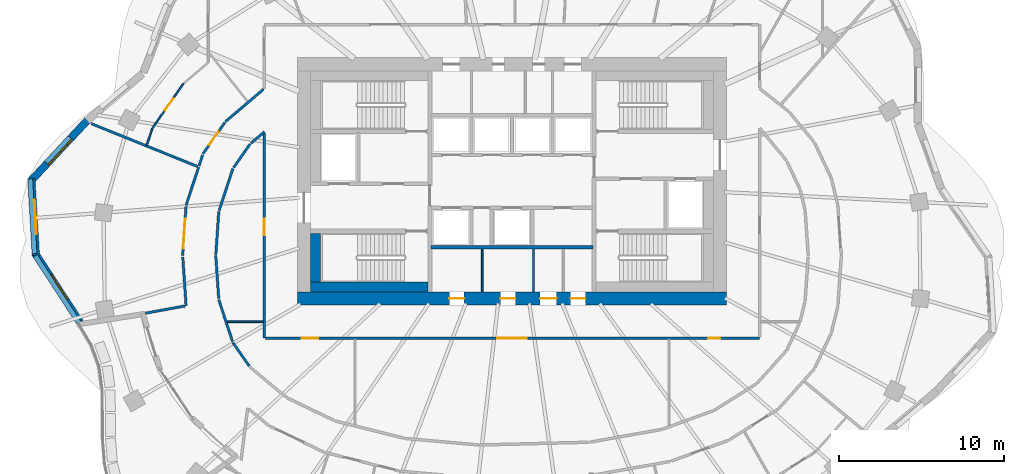
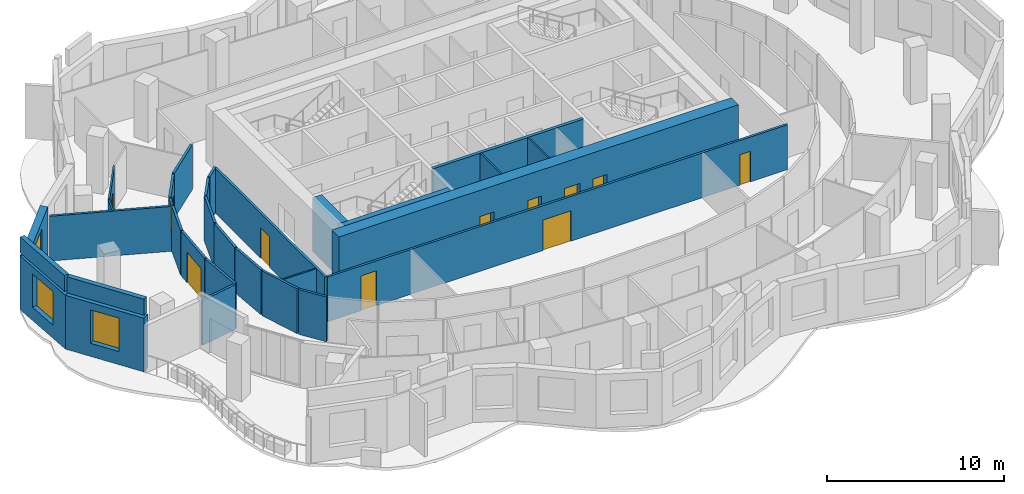
# One storey, part 6 of 13: 31 walls, 11 doors, 3 windows, 14 openings.
"""IFC4 building model written with IfcOpenShell, lengths in metres."""

from ifc_helpers import new_model, si_unit, direction, frame, frame_2d, origin, place, context, subcontext, project, spatial, rectangle, extrude, material, layer, layer_set, type_object, element, fill, save


model = new_model("IFC4")

# Units and contexts
model_context = context("Model", 3, precision=1e-05, world=origin(), true_north=direction((0.0, 1.0)))
body_context = subcontext(model_context, "Body", "Model", "MODEL_VIEW")
ifc_project = project(units=[si_unit("LENGTHUNIT", "METRE"), si_unit("AREAUNIT", "SQUARE_METRE"), si_unit("VOLUMEUNIT", "CUBIC_METRE"), si_unit("PLANEANGLEUNIT", "RADIAN"), si_unit("MASSUNIT", "GRAM", prefix="KILO")], contexts=[model_context])

# Site, building, storey
site_placement = place(None, origin())
site = spatial("IfcSite", under=ifc_project, at=site_placement, CompositionType="ELEMENT")
building_placement = place(site_placement, origin())
building = spatial("IfcBuilding", under=site, at=building_placement, Name="Rubra Terraces Tower", CompositionType="ELEMENT")
storey_placement = place(building_placement, frame((0.0, 0.0, 233.10009765625)))
storey = spatial("IfcBuildingStorey", under=building, at=storey_placement, Name="L57", CompositionType="ELEMENT", Elevation=233.10009765625)

# Wall, opening, window
ifc_material_1 = material(Name="Brick masonry red-brown", Category="masonry")
ifc_layer_1 = layer(ifc_material_1, 0.449951171875)
ifc_layer_set_1 = layer_set([ifc_layer_1], Name="Brick masonry red-brown")
wall_type_1 = type_object("IfcWallType", Name="Brick facade wall 450", PredefinedType="SOLIDWALL", material=ifc_layer_set_1)
wall_1_placement = place(storey_placement, frame((-25.716796875, 8.20068359375, 0.0), z_axis=(0.0, 0.0, 1.0), x_axis=(-0.681990073025, -0.731361429319, 0.0)))
wall_1 = element("IfcWall", 1, at=wall_1_placement, inside=storey, type_object=wall_type_1, Name="Facade wall L57 bay 19", PredefinedType="SOLIDWALL", context=body_context, shape_type="SweptSolid", body=[
    extrude(rectangle(XDim=5.063720703125, YDim=0.449951171875, at=frame_2d((2.53173828125, 0.0))), origin(), (0.0, 0.0, 1.0), 3.699951171875),
])
opening_1_placement = place(wall_1_placement, frame((1.481689453125, 0.0, 0.89990234375)))
opening_1 = element("IfcOpeningElement", 2, at=opening_1_placement, cuts=wall_1, Name="Opening W1B", PredefinedType="OPENING", context=body_context, shape_type="SweptSolid", body=[
    extrude(rectangle(XDim=2.10009765625, YDim=2.300048828125, at=frame_2d((1.050048828125, 1.14990234375))), frame((0.0, 0.23486328125, 0.0), z_axis=(0.0, -1.0, 0.0), x_axis=(1.0, 0.0, 0.0)), (0.0, 0.0, 1.0), 0.469970703125),
])
ifc_material_2 = material(Name="Clear glass in aluminium frame", Category="aluminium")
window_type_1 = type_object("IfcWindowType", Name="Fixed deep-set window tall storey 2100 x 2300", PartitioningType="SINGLE_PANEL", PredefinedType="WINDOW", material=ifc_material_2)
window_1_placement = place(opening_1_placement, origin())
window_1 = element("IfcWindow", 3, at=window_1_placement, inside=storey, type_object=window_type_1, Name="Window L57 bay 19", OverallHeight=2.300048828125, OverallWidth=2.10009765625, PartitioningType="SINGLE_PANEL", PredefinedType="WINDOW", context=body_context, shape_type="SweptSolid", body=[
    extrude(rectangle(XDim=2.10009765625, YDim=2.300048828125, at=frame_2d((1.050048828125, 1.14990234375))), frame((0.0, 0.135009765625, 0.0), z_axis=(0.0, -1.0, 0.0), x_axis=(1.0, 0.0, 0.0)), (0.0, 0.0, 1.0), 0.06005859375),
])
fill(opening_1, window_1)

wall_2_placement = place(storey_placement, frame((-29.11328125, 4.66015625, 0.0), z_axis=(0.0, 0.0, 1.0), x_axis=(0.058217785859, -0.998303906338, 0.0)))
wall_2 = element("IfcWall", 4, at=wall_2_placement, inside=storey, type_object=wall_type_1, Name="Facade wall L57 bay 20", PredefinedType="SOLIDWALL", context=body_context, shape_type="SweptSolid", body=[
    extrude(rectangle(XDim=4.65478515625, YDim=0.449951171875, at=frame_2d((2.327392578125, 0.0))), origin(), (0.0, 0.0, 1.0), 3.699951171875),
])
opening_2_placement = place(wall_2_placement, frame((1.27734375, 0.0, 0.89990234375)))
opening_2 = element("IfcOpeningElement", 5, at=opening_2_placement, cuts=wall_2, Name="Opening W1B", PredefinedType="OPENING", context=body_context, shape_type="SweptSolid", body=[
    extrude(rectangle(XDim=2.10009765625, YDim=2.300048828125, at=frame_2d((1.050048828125, 1.14990234375))), frame((0.0, 0.23486328125, 0.0), z_axis=(0.0, -1.0, 0.0), x_axis=(1.0, 0.0, 0.0)), (0.0, 0.0, 1.0), 0.469970703125),
])
window_2_placement = place(opening_2_placement, origin())
window_2 = element("IfcWindow", 6, at=window_2_placement, inside=storey, type_object=window_type_1, Name="Window L57 bay 20", OverallHeight=2.300048828125, OverallWidth=2.10009765625, PartitioningType="SINGLE_PANEL", PredefinedType="WINDOW", context=body_context, shape_type="SweptSolid", body=[
    extrude(rectangle(XDim=2.10009765625, YDim=2.300048828125, at=frame_2d((1.050048828125, 1.14990234375))), frame((0.0, 0.135009765625, 0.0), z_axis=(0.0, -1.0, 0.0), x_axis=(1.0, 0.0, 0.0)), (0.0, 0.0, 1.0), 0.06005859375),
])
fill(opening_2, window_2)

wall_3_placement = place(storey_placement, frame((-28.87841796875, 0.122802734375, 0.0), z_axis=(0.0, 0.0, 1.0), x_axis=(0.545765236226, -0.837938128341, 0.0)))
wall_3 = element("IfcWall", 7, at=wall_3_placement, inside=storey, type_object=wall_type_1, Name="Facade wall L57 bay 21", PredefinedType="SOLIDWALL", context=body_context, shape_type="SweptSolid", body=[
    extrude(rectangle(XDim=4.980224609375, YDim=0.449951171875, at=frame_2d((2.490234375, 0.0))), origin(), (0.0, 0.0, 1.0), 3.699951171875),
])
opening_3_placement = place(wall_3_placement, frame((1.590087890625, 0.0, 0.89990234375)))
opening_3 = element("IfcOpeningElement", 8, at=opening_3_placement, cuts=wall_3, Name="Opening W6B", PredefinedType="OPENING", context=body_context, shape_type="SweptSolid", body=[
    extrude(rectangle(XDim=1.800048828125, YDim=2.300048828125, at=frame_2d((0.89990234375, 1.14990234375))), frame((0.0, 0.23486328125, 0.0), z_axis=(0.0, -1.0, 0.0), x_axis=(1.0, 0.0, 0.0)), (0.0, 0.0, 1.0), 0.469970703125),
])
window_type_2 = type_object("IfcWindowType", Name="Fixed deep-set window at wind fin tall storey 1800 x 2300", PartitioningType="SINGLE_PANEL", PredefinedType="WINDOW", material=ifc_material_2)
window_3_placement = place(opening_3_placement, origin())
window_3 = element("IfcWindow", 9, at=window_3_placement, inside=storey, type_object=window_type_2, Name="Window L57 bay 21", OverallHeight=2.300048828125, OverallWidth=1.800048828125, PartitioningType="SINGLE_PANEL", PredefinedType="WINDOW", context=body_context, shape_type="SweptSolid", body=[
    extrude(rectangle(XDim=1.800048828125, YDim=2.300048828125, at=frame_2d((0.89990234375, 1.14990234375))), frame((0.0, 0.135009765625, 0.0), z_axis=(0.0, -1.0, 0.0), x_axis=(1.0, 0.0, 0.0)), (0.0, 0.0, 1.0), 0.06005859375),
])
fill(opening_3, window_3)

# Walls
ifc_layer_2 = layer(ifc_material_1, 0.300048828125)
ifc_layer_set_2 = layer_set([ifc_layer_2], Name="Brick masonry red-brown")
wall_type_2 = type_object("IfcWallType", Name="Brick parapet 300", PredefinedType="PARAPET", material=ifc_layer_set_2)
wall_4_placement = place(storey_placement, frame((-29.188232421875, 4.65576171875, 3.89990234375), z_axis=(0.0, 0.0, 1.0), x_axis=(0.058224524291, -0.998303513352, 0.0)))
element("IfcWall", 10, at=wall_4_placement, inside=storey, type_object=wall_type_2, Name="Parapet L57 bay 20", PredefinedType="PARAPET", context=body_context, shape_type="SweptSolid", body=[
    extrude(rectangle(XDim=4.54541015625, YDim=0.300048828125, at=frame_2d((2.272705078125, 0.0))), origin(), (0.0, 0.0, 1.0), 1.10009765625),
])
wall_5_placement = place(storey_placement, frame((-28.881591796875, -0.010009765625, 3.89990234375), z_axis=(0.0, 0.0, 1.0), x_axis=(0.545784501078, -0.837925580457, 0.0)))
element("IfcWall", 11, at=wall_5_placement, inside=storey, type_object=wall_type_2, Name="Parapet L57 bay 21", PredefinedType="PARAPET", context=body_context, shape_type="SweptSolid", body=[
    extrude(rectangle(XDim=4.870361328125, YDim=0.300048828125, at=frame_2d((2.43505859375, 0.0))), origin(), (0.0, 0.0, 1.0), 1.10009765625),
])

# Wall, openings, doors
ifc_material_3 = material(Name="Concrete C50", Category="concrete")
ifc_layer_3 = layer(ifc_material_3, 0.800048828125)
ifc_layer_set_3 = layer_set([ifc_layer_3], Name="Concrete C50")
wall_type_3 = type_object("IfcWallType", Name="CORE WALL 800 C50", PredefinedType="SHEAR", material=ifc_layer_set_3)
wall_6_placement = place(storey_placement, frame((-13.0, -2.60009765625, 0.0), z_axis=(0.0, 0.0, 1.0), x_axis=(1.0, 0.0, 0.0)))
wall_6 = element("IfcWall", 12, at=wall_6_placement, inside=storey, type_object=wall_type_3, Name="CORE WALL S L57", PredefinedType="SHEAR", context=body_context, shape_type="SweptSolid", body=[
    extrude(rectangle(XDim=26.0, YDim=0.800048828125, at=frame_2d((13.0, 0.0))), origin(), (0.0, 0.0, 1.0), 3.89990234375),
])
opening_4_placement = place(wall_6_placement, frame((9.199951171875, 0.0, 0.0)))
opening_4 = element("IfcOpeningElement", 13, at=opening_4_placement, cuts=wall_6, Name="Opening L57.C21", PredefinedType="OPENING", context=body_context, shape_type="SweptSolid", body=[
    extrude(rectangle(XDim=0.89990234375, YDim=2.10009765625, at=frame_2d((0.449951171875, 1.050048828125))), frame((0.0, 0.409912109375, 0.0), z_axis=(0.0, -1.0, 0.0), x_axis=(1.0, 0.0, 0.0)), (0.0, 0.0, 1.0), 0.820068359375),
])
opening_5_placement = place(wall_6_placement, frame((12.300048828125, 0.0, 0.0)))
opening_5 = element("IfcOpeningElement", 14, at=opening_5_placement, cuts=wall_6, Name="Opening L57.C22", PredefinedType="OPENING", context=body_context, shape_type="SweptSolid", body=[
    extrude(rectangle(XDim=0.89990234375, YDim=2.10009765625, at=frame_2d((0.449951171875, 1.050048828125))), frame((0.0, 0.409912109375, 0.0), z_axis=(0.0, -1.0, 0.0), x_axis=(1.0, 0.0, 0.0)), (0.0, 0.0, 1.0), 0.820068359375),
])
opening_6_placement = place(wall_6_placement, frame((14.699951171875, 0.0, 0.0)))
opening_6 = element("IfcOpeningElement", 15, at=opening_6_placement, cuts=wall_6, Name="Opening L57.C23", PredefinedType="OPENING", context=body_context, shape_type="SweptSolid", body=[
    extrude(rectangle(XDim=1.0, YDim=2.10009765625, at=frame_2d((0.5, 1.050048828125))), frame((0.0, 0.409912109375, 0.0), z_axis=(0.0, -1.0, 0.0), x_axis=(1.0, 0.0, 0.0)), (0.0, 0.0, 1.0), 0.820068359375),
])
opening_7_placement = place(wall_6_placement, frame((16.550048828125, 0.0, 0.0)))
opening_7 = element("IfcOpeningElement", 16, at=opening_7_placement, cuts=wall_6, Name="Opening L57.C24", PredefinedType="OPENING", context=body_context, shape_type="SweptSolid", body=[
    extrude(rectangle(XDim=0.89990234375, YDim=2.10009765625, at=frame_2d((0.449951171875, 1.050048828125))), frame((0.0, 0.409912109375, 0.0), z_axis=(0.0, -1.0, 0.0), x_axis=(1.0, 0.0, 0.0)), (0.0, 0.0, 1.0), 0.820068359375),
])
ifc_material_4 = material(Name="Painted steel", Category="steel")
door_type_1 = type_object("IfcDoorType", Name="Fire door 1000x2100 single", OperationType="NOTDEFINED", PredefinedType="DOOR", material=ifc_material_4)
door_1_placement = place(opening_6_placement, origin())
door_1 = element("IfcDoor", 17, at=door_1_placement, inside=storey, type_object=door_type_1, Name="Accessible WC door", OperationType="SINGLE_SWING_LEFT", OverallHeight=2.10009765625, OverallWidth=1.0, PredefinedType="DOOR", context=body_context, shape_type="SweptSolid", body=[
    extrude(rectangle(XDim=1.0, YDim=2.10009765625, at=frame_2d((0.5, 1.050048828125))), frame((0.0, 0.02490234375, 0.0), z_axis=(0.0, -1.0, 0.0), x_axis=(1.0, 0.0, 0.0)), (0.0, 0.0, 1.0), 0.050048828125),
])
fill(opening_6, door_1)
door_type_2 = type_object("IfcDoorType", Name="Fire door 900x2100 single", OperationType="NOTDEFINED", PredefinedType="DOOR", material=ifc_material_4)
door_2_placement = place(opening_4_placement, origin())
door_2 = element("IfcDoor", 18, at=door_2_placement, inside=storey, type_object=door_type_2, Name="Gents WC door", OperationType="SINGLE_SWING_LEFT", OverallHeight=2.10009765625, OverallWidth=0.89990234375, PredefinedType="DOOR", context=body_context, shape_type="SweptSolid", body=[
    extrude(rectangle(XDim=0.89990234375, YDim=2.10009765625, at=frame_2d((0.449951171875, 1.050048828125))), frame((0.0, 0.02490234375, 0.0), z_axis=(0.0, -1.0, 0.0), x_axis=(1.0, 0.0, 0.0)), (0.0, 0.0, 1.0), 0.050048828125),
])
fill(opening_4, door_2)
door_3_placement = place(opening_5_placement, origin())
door_3 = element("IfcDoor", 19, at=door_3_placement, inside=storey, type_object=door_type_2, Name="Ladies WC door", OperationType="SINGLE_SWING_RIGHT", OverallHeight=2.10009765625, OverallWidth=0.89990234375, PredefinedType="DOOR", context=body_context, shape_type="SweptSolid", body=[
    extrude(rectangle(XDim=0.89990234375, YDim=2.10009765625, at=frame_2d((0.449951171875, 1.050048828125))), frame((0.0, 0.02490234375, 0.0), z_axis=(0.0, -1.0, 0.0), x_axis=(1.0, 0.0, 0.0)), (0.0, 0.0, 1.0), 0.050048828125),
])
fill(opening_5, door_3)
door_4_placement = place(opening_7_placement, origin())
door_4 = element("IfcDoor", 20, at=door_4_placement, inside=storey, type_object=door_type_2, Name="Cleaner's store door", OperationType="SINGLE_SWING_RIGHT", OverallHeight=2.10009765625, OverallWidth=0.89990234375, PredefinedType="DOOR", context=body_context, shape_type="SweptSolid", body=[
    extrude(rectangle(XDim=0.89990234375, YDim=2.10009765625, at=frame_2d((0.449951171875, 1.050048828125))), frame((0.0, 0.02490234375, 0.0), z_axis=(0.0, -1.0, 0.0), x_axis=(1.0, 0.0, 0.0)), (0.0, 0.0, 1.0), 0.050048828125),
])
fill(opening_7, door_4)

# Wall
ifc_material_5 = material(Name="Plasterboard on steel stud, mineral wool infill", Category="steel")
ifc_layer_4 = layer(ifc_material_5, 0.14990234375)
ifc_layer_set_4 = layer_set([ifc_layer_4], Name="Plasterboard on steel stud, mineral wool infill")
wall_type_4 = type_object("IfcWallType", Name="CORRIDOR PARTITION 150", PredefinedType="PARTITIONING", material=ifc_layer_set_4)
wall_7_placement = place(storey_placement, frame((-18.97900390625, 5.37158203125, 0.0), z_axis=(0.0, 0.0, 1.0), x_axis=(-0.311873415846, -0.950123661682, 0.0)))
element("IfcWall", 21, at=wall_7_placement, inside=storey, type_object=wall_type_4, Name="PARTITION", PredefinedType="PARTITIONING", context=body_context, shape_type="SweptSolid", body=[
    extrude(rectangle(XDim=2.44091796875, YDim=0.14990234375, at=frame_2d((1.220458984375, 0.0))), origin(), (0.0, 0.0, 1.0), 3.083984375),
])

# Wall, opening, door
wall_8_placement = place(storey_placement, frame((-19.745361328125, 2.9775390625, 0.0), z_axis=(0.0, 0.0, 1.0), x_axis=(-0.068142324, -0.997675610447, 0.0)))
wall_8 = element("IfcWall", 22, at=wall_8_placement, inside=storey, type_object=wall_type_4, Name="PARTITION", PredefinedType="PARTITIONING", context=body_context, shape_type="SweptSolid", body=[
    extrude(rectangle(XDim=2.984375, YDim=0.14990234375, at=frame_2d((1.4921875, 0.0))), origin(), (0.0, 0.0, 1.0), 3.083984375),
])
opening_8_placement = place(wall_8_placement, frame((0.75, 0.0, 0.0)))
opening_8 = element("IfcOpeningElement", 23, at=opening_8_placement, cuts=wall_8, Name="Opening 57-101", PredefinedType="OPENING", context=body_context, shape_type="SweptSolid", body=[
    extrude(rectangle(XDim=1.800048828125, YDim=2.10009765625, at=frame_2d((0.89990234375, 1.050048828125))), frame((0.0, 0.0849609375, 0.0), z_axis=(0.0, -1.0, 0.0), x_axis=(1.0, 0.0, 0.0)), (0.0, 0.0, 1.0), 0.169921875),
])
ifc_material_6 = material(Name="Painted timber door leaf, double", Category="wood")
door_type_3 = type_object("IfcDoorType", Name="ROOM DOUBLE DOOR 1800 X 2100", OperationType="DOUBLE_DOOR_SINGLE_SWING", PredefinedType="DOOR", material=ifc_material_6)
door_5_placement = place(opening_8_placement, origin())
door_5 = element("IfcDoor", 24, at=door_5_placement, inside=storey, type_object=door_type_3, Name="DOOR 57-101", OperationType="DOUBLE_DOOR_SINGLE_SWING", OverallHeight=2.10009765625, OverallWidth=1.800048828125, PredefinedType="DOOR", context=body_context, shape_type="SweptSolid", body=[
    extrude(rectangle(XDim=1.800048828125, YDim=2.10009765625, at=frame_2d((0.89990234375, 1.050048828125))), frame((0.0, 0.02490234375, 0.0), z_axis=(0.0, -1.0, 0.0), x_axis=(1.0, 0.0, 0.0)), (0.0, 0.0, 1.0), 0.050048828125),
])
fill(opening_8, door_5)

# Walls
wall_9_placement = place(storey_placement, frame((-19.943603515625, -0.07470703125, 0.0), z_axis=(0.0, 0.0, 1.0), x_axis=(0.068124395451, -0.997676834824, 0.0)))
element("IfcWall", 25, at=wall_9_placement, inside=storey, type_object=wall_type_4, Name="PARTITION", PredefinedType="PARTITIONING", context=body_context, shape_type="SweptSolid", body=[
    extrude(rectangle(XDim=2.96728515625, YDim=0.14990234375, at=frame_2d((1.483642578125, 0.0))), origin(), (0.0, 0.0, 1.0), 3.083984375),
])
wall_10_placement = place(storey_placement, frame((-22.197509765625, -3.486572265625, 0.0), z_axis=(0.0, 0.0, 1.0), x_axis=(0.983516451856, 0.18081866311, 0.0)))
element("IfcWall", 26, at=wall_10_placement, inside=storey, type_object=wall_type_4, Name="PARTITION", PredefinedType="PARTITIONING", context=body_context, shape_type="SweptSolid", body=[
    extrude(rectangle(XDim=2.42236328125, YDim=0.14990234375, at=frame_2d((1.211181640625, 0.0))), origin(), (0.0, 0.0, 1.0), 3.083984375),
])
wall_11_placement = place(storey_placement, frame((-15.05712890625, 10.072998046875, 0.0), z_axis=(0.0, 0.0, 1.0), x_axis=(-0.762398905861, -0.647107339119, 0.0)))
element("IfcWall", 27, at=wall_11_placement, inside=storey, type_object=wall_type_4, Name="PARTITION", PredefinedType="PARTITIONING", context=body_context, shape_type="SweptSolid", body=[
    extrude(rectangle(XDim=3.013427734375, YDim=0.14990234375, at=frame_2d((1.5068359375, 0.0))), origin(), (0.0, 0.0, 1.0), 3.083984375),
])

# Wall, opening, door
wall_12_placement = place(storey_placement, frame((-17.3974609375, 8.0615234375, 0.0), z_axis=(0.0, 0.0, 1.0), x_axis=(-0.572118665737, -0.820170855563, 0.0)))
wall_12 = element("IfcWall", 28, at=wall_12_placement, inside=storey, type_object=wall_type_4, Name="PARTITION", PredefinedType="PARTITIONING", context=body_context, shape_type="SweptSolid", body=[
    extrude(rectangle(XDim=2.30615234375, YDim=0.14990234375, at=frame_2d((1.153076171875, 0.0))), origin(), (0.0, 0.0, 1.0), 3.083984375),
])
opening_9_placement = place(wall_12_placement, frame((0.64990234375, 0.0, 0.0)))
opening_9 = element("IfcOpeningElement", 29, at=opening_9_placement, cuts=wall_12, Name="Opening 57-132", PredefinedType="OPENING", context=body_context, shape_type="SweptSolid", body=[
    extrude(rectangle(XDim=1.0, YDim=2.10009765625, at=frame_2d((0.5, 1.050048828125))), frame((0.0, 0.0849609375, 0.0), z_axis=(0.0, -1.0, 0.0), x_axis=(1.0, 0.0, 0.0)), (0.0, 0.0, 1.0), 0.169921875),
])
ifc_material_7 = material(Name="Painted timber door leaf", Category="wood")
door_type_4 = type_object("IfcDoorType", Name="ROOM DOOR 1000 X 2100", OperationType="SINGLE_SWING_LEFT", PredefinedType="DOOR", material=ifc_material_7)
door_6_placement = place(opening_9_placement, origin())
door_6 = element("IfcDoor", 30, at=door_6_placement, inside=storey, type_object=door_type_4, Name="DOOR 57-132", OperationType="SINGLE_SWING_RIGHT", OverallHeight=2.10009765625, OverallWidth=1.0, PredefinedType="DOOR", context=body_context, shape_type="SweptSolid", body=[
    extrude(rectangle(XDim=1.0, YDim=2.10009765625, at=frame_2d((0.5, 1.050048828125))), frame((0.0, 0.02490234375, 0.0), z_axis=(0.0, -1.0, 0.0), x_axis=(1.0, 0.0, 0.0)), (0.0, 0.0, 1.0), 0.050048828125),
])
fill(opening_9, door_6)

# Walls
wall_13_placement = place(storey_placement, frame((-18.740234375, 6.098876953125, 0.0), z_axis=(0.0, 0.0, 1.0), x_axis=(-0.311875163268, -0.950123088098, 0.0)))
element("IfcWall", 31, at=wall_13_placement, inside=storey, type_object=wall_type_4, Name="PARTITION", PredefinedType="PARTITIONING", context=body_context, shape_type="SweptSolid", body=[
    extrude(rectangle(XDim=0.6904296875, YDim=0.14990234375, at=frame_2d((0.34521484375, 0.0))), origin(), (0.0, 0.0, 1.0), 3.083984375),
])
wall_14_placement = place(storey_placement, frame((-15.911865234375, -6.695556640625, 0.0), z_axis=(0.0, 0.0, 1.0), x_axis=(-0.572078533763, 0.820198848578, 0.0)))
element("IfcWall", 32, at=wall_14_placement, inside=storey, type_object=wall_type_4, Name="PARTITION", PredefinedType="PARTITIONING", context=body_context, shape_type="SweptSolid", body=[
    extrude(rectangle(XDim=1.74169921875, YDim=0.14990234375, at=frame_2d((0.870849609375, 0.0))), origin(), (0.0, 0.0, 1.0), 3.083984375),
])
wall_15_placement = place(storey_placement, frame((-16.931640625, -5.19580078125, 0.0), z_axis=(0.0, 0.0, 1.0), x_axis=(-0.311904957484, 0.950113307715, 0.0)))
element("IfcWall", 33, at=wall_15_placement, inside=storey, type_object=wall_type_4, Name="PARTITION", PredefinedType="PARTITIONING", context=body_context, shape_type="SweptSolid", body=[
    extrude(rectangle(XDim=2.662109375, YDim=0.14990234375, at=frame_2d((1.3310546875, 0.0))), origin(), (0.0, 0.0, 1.0), 3.083984375),
])
wall_16_placement = place(storey_placement, frame((-17.76708984375, -2.591552734375, 0.0), z_axis=(0.0, 0.0, 1.0), x_axis=(-0.068140828228, 0.997675712608, 0.0)))
element("IfcWall", 34, at=wall_16_placement, inside=storey, type_object=wall_type_4, Name="PARTITION", PredefinedType="PARTITIONING", context=body_context, shape_type="SweptSolid", body=[
    extrude(rectangle(XDim=2.59765625, YDim=0.14990234375, at=frame_2d((1.298828125, 0.0))), origin(), (0.0, 0.0, 1.0), 3.083984375),
])
wall_17_placement = place(storey_placement, frame((-17.939208984375, 0.07470703125, 0.0), z_axis=(0.0, 0.0, 1.0), x_axis=(0.068227980697, 0.997669756307, 0.0)))
element("IfcWall", 35, at=wall_17_placement, inside=storey, type_object=wall_type_4, Name="PARTITION", PredefinedType="PARTITIONING", context=body_context, shape_type="SweptSolid", body=[
    extrude(rectangle(XDim=2.597900390625, YDim=0.14990234375, at=frame_2d((1.298828125, 0.0))), origin(), (0.0, 0.0, 1.0), 3.083984375),
])
wall_18_placement = place(storey_placement, frame((-17.738525390625, 2.73779296875, 0.0), z_axis=(0.0, 0.0, 1.0), x_axis=(0.311904957484, 0.950113307715, 0.0)))
element("IfcWall", 36, at=wall_18_placement, inside=storey, type_object=wall_type_4, Name="PARTITION", PredefinedType="PARTITIONING", context=body_context, shape_type="SweptSolid", body=[
    extrude(rectangle(XDim=2.662109375, YDim=0.14990234375, at=frame_2d((1.3310546875, 0.0))), origin(), (0.0, 0.0, 1.0), 3.083984375),
])
wall_19_placement = place(storey_placement, frame((-16.865478515625, 5.32861328125, 0.0), z_axis=(0.0, 0.0, 1.0), x_axis=(0.572096615639, 0.820186236397, 0.0)))
element("IfcWall", 37, at=wall_19_placement, inside=storey, type_object=wall_type_4, Name="PARTITION", PredefinedType="PARTITIONING", context=body_context, shape_type="SweptSolid", body=[
    extrude(rectangle(XDim=1.752685546875, YDim=0.14990234375, at=frame_2d((0.87646484375, 0.0))), origin(), (0.0, 0.0, 1.0), 3.083984375),
])
wall_20_placement = place(storey_placement, frame((-15.805419921875, 6.814453125, 0.0), z_axis=(0.0, 0.0, 1.0), x_axis=(0.762298381233, 0.647225755027, 0.0)))
element("IfcWall", 38, at=wall_20_placement, inside=storey, type_object=wall_type_4, Name="PARTITION", PredefinedType="PARTITIONING", context=body_context, shape_type="SweptSolid", body=[
    extrude(rectangle(XDim=1.056640625, YDim=0.14990234375, at=frame_2d((0.5283203125, 0.0))), origin(), (0.0, 0.0, 1.0), 3.083984375),
])

# Wall, opening, door
wall_21_placement = place(storey_placement, frame((-15.0, 7.423095703125, 0.0), z_axis=(0.0, 0.0, 1.0), x_axis=(0.0, -1.0, 0.0)))
wall_21 = element("IfcWall", 39, at=wall_21_placement, inside=storey, type_object=wall_type_4, Name="PARTITION", PredefinedType="PARTITIONING", context=body_context, shape_type="SweptSolid", body=[
    extrude(rectangle(XDim=12.423095703125, YDim=0.14990234375, at=frame_2d((6.21142578125, 0.0))), origin(), (0.0, 0.0, 1.0), 3.083984375),
])
opening_10_placement = place(wall_21_placement, frame((5.174072265625, 0.0, 0.0)))
opening_10 = element("IfcOpeningElement", 40, at=opening_10_placement, cuts=wall_21, Name="Opening 57-121", PredefinedType="OPENING", context=body_context, shape_type="SweptSolid", body=[
    extrude(rectangle(XDim=1.0, YDim=2.10009765625, at=frame_2d((0.5, 1.050048828125))), frame((0.0, 0.0849609375, 0.0), z_axis=(0.0, -1.0, 0.0), x_axis=(1.0, 0.0, 0.0)), (0.0, 0.0, 1.0), 0.169921875),
])
door_7_placement = place(opening_10_placement, origin())
door_7 = element("IfcDoor", 41, at=door_7_placement, inside=storey, type_object=door_type_4, Name="DOOR 57-121", OperationType="SINGLE_SWING_RIGHT", OverallHeight=2.10009765625, OverallWidth=1.0, PredefinedType="DOOR", context=body_context, shape_type="SweptSolid", body=[
    extrude(rectangle(XDim=1.0, YDim=2.10009765625, at=frame_2d((0.5, 1.050048828125))), frame((0.0, 0.02490234375, 0.0), z_axis=(0.0, -1.0, 0.0), x_axis=(1.0, 0.0, 0.0)), (0.0, 0.0, 1.0), 0.050048828125),
])
fill(opening_10, door_7)

# Wall, openings, doors
wall_22_placement = place(storey_placement, frame((-14.925048828125, -5.0, 0.0), z_axis=(0.0, 0.0, 1.0), x_axis=(1.0, 0.0, 0.0)))
wall_22 = element("IfcWall", 42, at=wall_22_placement, inside=storey, type_object=wall_type_4, Name="PARTITION", PredefinedType="PARTITIONING", context=body_context, shape_type="SweptSolid", body=[
    extrude(rectangle(XDim=29.925048828125, YDim=0.14990234375, at=frame_2d((14.96240234375, 0.0))), origin(), (0.0, 0.0, 1.0), 3.083984375),
])
opening_11_placement = place(wall_22_placement, frame((2.175048828125, 0.0, 0.0)))
opening_11 = element("IfcOpeningElement", 43, at=opening_11_placement, cuts=wall_22, Name="Opening 57-122", PredefinedType="OPENING", context=body_context, shape_type="SweptSolid", body=[
    extrude(rectangle(XDim=1.0, YDim=2.39990234375, at=frame_2d((0.5, 1.199951171875))), frame((0.0, 0.0849609375, 0.0), z_axis=(0.0, -1.0, 0.0), x_axis=(1.0, 0.0, 0.0)), (0.0, 0.0, 1.0), 0.169921875),
])
opening_12_placement = place(wall_22_placement, frame((14.02490234375, 0.0, 0.0)))
opening_12 = element("IfcOpeningElement", 44, at=opening_12_placement, cuts=wall_22, Name="Opening 57-123", PredefinedType="OPENING", context=body_context, shape_type="SweptSolid", body=[
    extrude(rectangle(XDim=1.800048828125, YDim=2.10009765625, at=frame_2d((0.89990234375, 1.050048828125))), frame((0.0, 0.0849609375, 0.0), z_axis=(0.0, -1.0, 0.0), x_axis=(1.0, 0.0, 0.0)), (0.0, 0.0, 1.0), 0.169921875),
])
opening_13_placement = place(wall_22_placement, frame((26.824951171875, 0.0, 0.0)))
opening_13 = element("IfcOpeningElement", 45, at=opening_13_placement, cuts=wall_22, Name="Opening 57-124", PredefinedType="OPENING", context=body_context, shape_type="SweptSolid", body=[
    extrude(rectangle(XDim=0.699951171875, YDim=2.10009765625, at=frame_2d((0.35009765625, 1.050048828125))), frame((0.0, 0.0849609375, 0.0), z_axis=(0.0, -1.0, 0.0), x_axis=(1.0, 0.0, 0.0)), (0.0, 0.0, 1.0), 0.169921875),
])
ifc_material_8 = material(Name="Glazed aluminium meeting door leaf", Category="aluminium")
door_type_5 = type_object("IfcDoorType", Name="MEETING ROOM GLAZED DOOR 1000 X 2400", OperationType="SINGLE_SWING_LEFT", PredefinedType="DOOR", material=ifc_material_8)
door_8_placement = place(opening_11_placement, origin())
door_8 = element("IfcDoor", 46, at=door_8_placement, inside=storey, type_object=door_type_5, Name="DOOR 57-122", OperationType="SINGLE_SWING_RIGHT", OverallHeight=2.39990234375, OverallWidth=1.0, PredefinedType="DOOR", context=body_context, shape_type="SweptSolid", body=[
    extrude(rectangle(XDim=1.0, YDim=2.39990234375, at=frame_2d((0.5, 1.199951171875))), frame((0.0, 0.02490234375, 0.0), z_axis=(0.0, -1.0, 0.0), x_axis=(1.0, 0.0, 0.0)), (0.0, 0.0, 1.0), 0.050048828125),
])
fill(opening_11, door_8)
door_9_placement = place(opening_12_placement, origin())
door_9 = element("IfcDoor", 47, at=door_9_placement, inside=storey, type_object=door_type_3, Name="DOOR 57-123", OperationType="DOUBLE_DOOR_SINGLE_SWING", OverallHeight=2.10009765625, OverallWidth=1.800048828125, PredefinedType="DOOR", context=body_context, shape_type="SweptSolid", body=[
    extrude(rectangle(XDim=1.800048828125, YDim=2.10009765625, at=frame_2d((0.89990234375, 1.050048828125))), frame((0.0, 0.02490234375, 0.0), z_axis=(0.0, -1.0, 0.0), x_axis=(1.0, 0.0, 0.0)), (0.0, 0.0, 1.0), 0.050048828125),
])
fill(opening_12, door_9)
door_type_6 = type_object("IfcDoorType", Name="STORE DOOR 700 X 2100", OperationType="SINGLE_SWING_LEFT", PredefinedType="DOOR", material=ifc_material_7)
door_10_placement = place(opening_13_placement, origin())
door_10 = element("IfcDoor", 48, at=door_10_placement, inside=storey, type_object=door_type_6, Name="DOOR 57-124", OperationType="SINGLE_SWING_RIGHT", OverallHeight=2.10009765625, OverallWidth=0.699951171875, PredefinedType="DOOR", context=body_context, shape_type="SweptSolid", body=[
    extrude(rectangle(XDim=0.699951171875, YDim=2.10009765625, at=frame_2d((0.35009765625, 1.050048828125))), frame((0.0, 0.02490234375, 0.0), z_axis=(0.0, -1.0, 0.0), x_axis=(1.0, 0.0, 0.0)), (0.0, 0.0, 1.0), 0.050048828125),
])
fill(opening_13, door_10)

# Walls
ifc_material_9 = material(Name="Concrete C40", Category="concrete")
ifc_layer_5 = layer(ifc_material_9, 0.60009765625)
ifc_layer_set_5 = layer_set([ifc_layer_5], Name="Concrete C40")
wall_type_5 = type_object("IfcWallType", Name="Core lining wall 600 concrete", PredefinedType="SOLIDWALL", material=ifc_layer_set_5)
wall_23_placement = place(storey_placement, frame((-12.199951171875, -1.89990234375, 0.0), z_axis=(0.0, 0.0, 1.0), x_axis=(1.0, 0.0, 0.0)))
element("IfcWall", 49, at=wall_23_placement, inside=storey, type_object=wall_type_5, Name="CORE LINING WALL L57", PredefinedType="SOLIDWALL", context=body_context, shape_type="SweptSolid", body=[
    extrude(rectangle(XDim=7.099853515625, YDim=0.60009765625, at=frame_2d((3.5498046875, 0.0))), origin(), (0.0, 0.0, 1.0), 3.699951171875),
])
wall_24_placement = place(storey_placement, frame((-11.89990234375, -1.60009765625, 0.0), z_axis=(0.0, 0.0, 1.0), x_axis=(0.0, 1.0, 0.0)))
element("IfcWall", 50, at=wall_24_placement, inside=storey, type_object=wall_type_5, Name="CORE LINING WALL L57", PredefinedType="SOLIDWALL", context=body_context, shape_type="SweptSolid", body=[
    extrude(rectangle(XDim=2.9501953125, YDim=0.60009765625, at=frame_2d((1.47509765625, 0.0))), origin(), (0.0, 0.0, 1.0), 3.699951171875),
])
ifc_material_10 = material(Name="Concrete C30", Category="concrete")
ifc_layer_6 = layer(ifc_material_10, 0.199951171875)
ifc_layer_set_6 = layer_set([ifc_layer_6], Name="Concrete C30")
wall_type_6 = type_object("IfcWallType", Name="Core wall 200 concrete", PredefinedType="SOLIDWALL", material=ifc_layer_set_6)
wall_25_placement = place(storey_placement, frame((-4.89990234375, 0.5, 0.0), z_axis=(0.0, 0.0, 1.0), x_axis=(1.0, 0.0, 0.0)))
element("IfcWall", 51, at=wall_25_placement, inside=storey, type_object=wall_type_6, Name="LIFT SHAFT WALL L57", PredefinedType="SOLIDWALL", context=body_context, shape_type="SweptSolid", body=[
    extrude(rectangle(XDim=9.7998046875, YDim=0.199951171875, at=frame_2d((4.89990234375, 0.0))), origin(), (0.0, 0.0, 1.0), 3.699951171875),
])
ifc_material_11 = material(Name="Plasterboard on steel stud", Category="steel")
ifc_layer_7 = layer(ifc_material_11, 0.10009765625)
ifc_layer_set_7 = layer_set([ifc_layer_7], Name="Plasterboard on steel stud")
wall_type_7 = type_object("IfcWallType", Name="ROOM PARTITION 100", PredefinedType="PARTITIONING", material=ifc_layer_set_7)
wall_26_placement = place(storey_placement, frame((-22.1328125, 6.664794921875, 0.0), z_axis=(0.0, 0.0, 1.0), x_axis=(0.311877335249, 0.950122375148, 0.0)))
element("IfcWall", 52, at=wall_26_placement, inside=storey, type_object=wall_type_7, Name="PARTITION", PredefinedType="PARTITIONING", context=body_context, shape_type="SweptSolid", body=[
    extrude(rectangle(XDim=1.09521484375, YDim=0.10009765625, at=frame_2d((0.547607421875, 0.0))), origin(), (0.0, 0.0, 1.0), 3.083984375),
])

# Wall, opening, door
wall_27_placement = place(storey_placement, frame((-21.7626953125, 7.746337890625, 0.0), z_axis=(0.0, 0.0, 1.0), x_axis=(0.57207420081, 0.820201870741, 0.0)))
wall_27 = element("IfcWall", 53, at=wall_27_placement, inside=storey, type_object=wall_type_7, Name="PARTITION", PredefinedType="PARTITIONING", context=body_context, shape_type="SweptSolid", body=[
    extrude(rectangle(XDim=3.271484375, YDim=0.10009765625, at=frame_2d((1.6357421875, 0.0))), origin(), (0.0, 0.0, 1.0), 3.083984375),
])
opening_14_placement = place(wall_27_placement, frame((1.27294921875, 0.0, 0.0)))
opening_14 = element("IfcOpeningElement", 54, at=opening_14_placement, cuts=wall_27, Name="Opening 57-120", PredefinedType="OPENING", context=body_context, shape_type="SweptSolid", body=[
    extrude(rectangle(XDim=0.89990234375, YDim=2.10009765625, at=frame_2d((0.449951171875, 1.050048828125))), frame((0.0, 0.06005859375, 0.0), z_axis=(0.0, -1.0, 0.0), x_axis=(1.0, 0.0, 0.0)), (0.0, 0.0, 1.0), 0.1201171875),
])
door_type_7 = type_object("IfcDoorType", Name="ROOM DOOR 900 X 2100", OperationType="SINGLE_SWING_LEFT", PredefinedType="DOOR", material=ifc_material_7)
door_11_placement = place(opening_14_placement, origin())
door_11 = element("IfcDoor", 55, at=door_11_placement, inside=storey, type_object=door_type_7, Name="DOOR 57-120", OperationType="SINGLE_SWING_LEFT", OverallHeight=2.10009765625, OverallWidth=0.89990234375, PredefinedType="DOOR", context=body_context, shape_type="SweptSolid", body=[
    extrude(rectangle(XDim=0.89990234375, YDim=2.10009765625, at=frame_2d((0.449951171875, 1.050048828125))), frame((0.0, 0.02490234375, 0.0), z_axis=(0.0, -1.0, 0.0), x_axis=(1.0, 0.0, 0.0)), (0.0, 0.0, 1.0), 0.050048828125),
])
fill(opening_14, door_11)

# Walls
wall_28_placement = place(storey_placement, frame((-17.249267578125, -4.0, 0.0), z_axis=(0.0, 0.0, 1.0), x_axis=(1.0, 0.0, 0.0)))
element("IfcWall", 56, at=wall_28_placement, inside=storey, type_object=wall_type_7, Name="PARTITION", PredefinedType="PARTITIONING", context=body_context, shape_type="SweptSolid", body=[
    extrude(rectangle(XDim=2.17431640625, YDim=0.10009765625, at=frame_2d((1.087158203125, 0.0))), origin(), (0.0, 0.0, 1.0), 3.083984375),
])
ifc_layer_8 = layer(ifc_material_11, 0.14990234375)
ifc_layer_set_8 = layer_set([ifc_layer_8], Name="Plasterboard on steel stud")
wall_type_8 = type_object("IfcWallType", Name="ROOM PARTITION 150", PredefinedType="PARTITIONING", material=ifc_layer_set_8)
wall_29_placement = place(storey_placement, frame((-25.48583984375, 7.994873046875, 0.0), z_axis=(0.0, 0.0, 1.0), x_axis=(0.927464099257, -0.373912215083, 0.0)))
element("IfcWall", 57, at=wall_29_placement, inside=storey, type_object=wall_type_8, Name="PARTITION", PredefinedType="PARTITIONING", context=body_context, shape_type="SweptSolid", body=[
    extrude(rectangle(XDim=6.940673828125, YDim=0.14990234375, at=frame_2d((3.47021484375, 0.0))), origin(), (0.0, 0.0, 1.0), 3.083984375),
])
ifc_material_12 = material(Name="Blockwork", Category="masonry")
ifc_layer_9 = layer(ifc_material_12, 0.10009765625)
ifc_layer_set_9 = layer_set([ifc_layer_9], Name="Blockwork")
wall_type_9 = type_object("IfcWallType", Name="Service partition 100 blockwork", PredefinedType="PARTITIONING", material=ifc_layer_set_9)
for number, where, z_axis, x_axis, name in (
    (58, (-1.800048828125, -2.199951171875, 0.0), (0.0, 0.0, 1.0), (0.0, 1.0, 0.0), "SERVICE ROOM PARTITION L57"),
    (59, (1.300048828125, -2.199951171875, 0.0), (0.0, 0.0, 1.0), (0.0, 1.0, 0.0), "SERVICE ROOM PARTITION L57"),
):
    element("IfcWall", number, at=place(storey_placement, frame(where, z_axis=z_axis, x_axis=x_axis)), inside=storey, type_object=wall_type_9, Name=name, PredefinedType="PARTITIONING", context=body_context, shape_type="SweptSolid", body=[
        extrude(rectangle(XDim=2.599853515625, YDim=0.10009765625, at=frame_2d((1.2998046875, 0.0))), origin(), (0.0, 0.0, 1.0), 3.699951171875),
    ])

save(model, "model.ifc")
